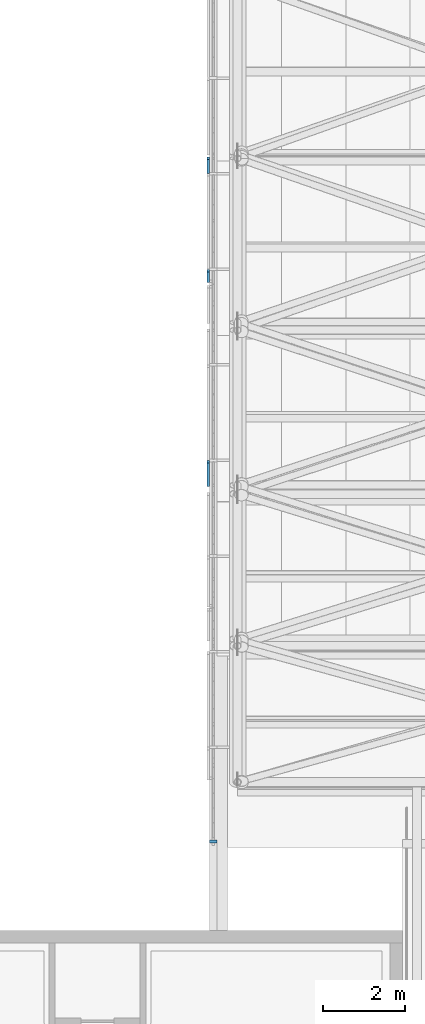
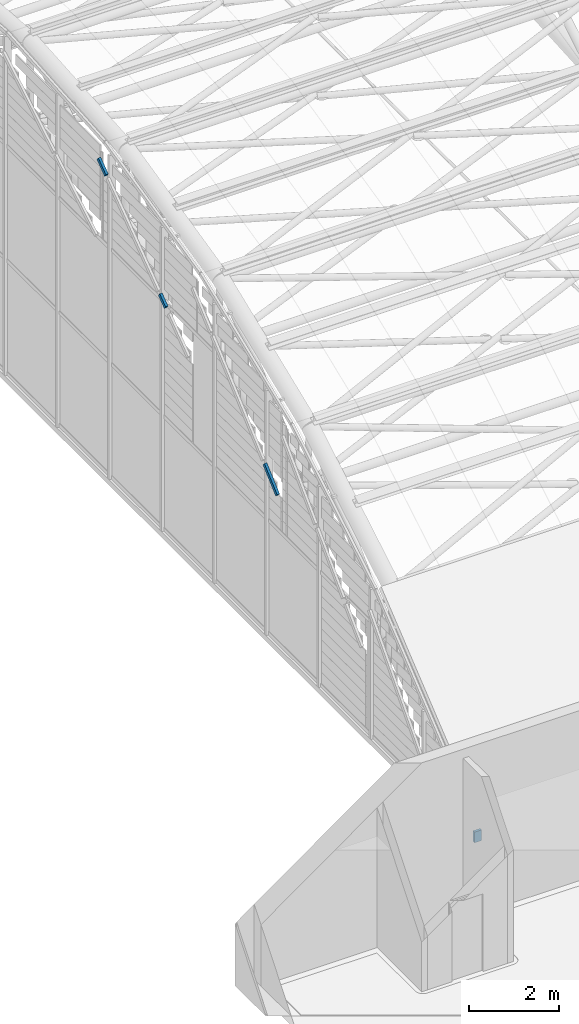
# One storey, part 44 of 110: 4 members, 1 element without a shape of its own.
"""IFC4 building model written with IfcOpenShell, lengths in metres."""

import ifcopenshell
import ifcopenshell.guid

model = None  # the IFC model being written
_history = None  # IfcOwnerHistory: only IFC2X3 demands one
_inside = {}  # id of a spatial element -> (the spatial element, [elements in it])
_under = {}  # id of a project, library or spatial element -> (it, [spatial elements below it])
_declared = {}  # id of a project -> (the project, [libraries it declares])
_typed = {}  # id of a type object -> (the type object, [elements of that type])
_made_of = {}  # id of a material, layer set ... -> (it, [elements and type objects made of it])


def new_model(schema):
    """Start an empty IFC model of exactly this schema.

    Asked for "IFC4X3", IfcOpenShell would pick the latest addendum, in which some entities
    have other attributes; the version numbers below select the first issue.
    IFC2X3 requires an IfcOwnerHistory on every rooted entity: one is made here for all.
    """
    global model, _history
    if schema == "IFC4X3":
        model = ifcopenshell.file(schema_version=(4, 3, 0, 0))
    else:
        model = ifcopenshell.file(schema=schema)
    _inside.clear()
    _under.clear()
    _declared.clear()
    _typed.clear()
    _made_of.clear()
    _history = None
    if model.schema == "IFC2X3":
        org = make("IfcOrganization", Name="unknown")
        user = make(
            "IfcPersonAndOrganization",
            ThePerson=make("IfcPerson", FamilyName="unknown"),
            TheOrganization=org,
        )
        app = make(
            "IfcApplication",
            ApplicationDeveloper=org,
            Version="unknown",
            ApplicationFullName="unknown",
            ApplicationIdentifier="unknown",
        )
        _history = make(
            "IfcOwnerHistory",
            OwningUser=user,
            OwningApplication=app,
            ChangeAction="ADDED",
            CreationDate=0,
        )
    return model


def make(cls, **values):
    """One entity of the class cls with the attributes given. An attribute that is None is left unset."""
    return model.create_entity(
        cls, **{name: value for name, value in values.items() if value is not None}
    )


def rooted(cls, **values):
    """An entity with a GlobalId (a new one), such as an element, a storey or a relation."""
    return make(cls, GlobalId=ifcopenshell.guid.new(), OwnerHistory=_history, **values)


def si_unit(unit_type, name, prefix=None):
    """IfcSIUnit, for example si_unit("LENGTHUNIT", "METRE", prefix="MILLI")."""
    return make("IfcSIUnit", UnitType=unit_type, Prefix=prefix, Name=name)


def assignment(units):
    """IfcUnitAssignment: the units of a project."""
    return None if units is None else make("IfcUnitAssignment", Units=units)


def point(xyz):
    """IfcCartesianPoint."""
    return None if xyz is None else make("IfcCartesianPoint", Coordinates=xyz)


def direction(xyz):
    """IfcDirection."""
    return None if xyz is None else make("IfcDirection", DirectionRatios=xyz)


def frame(location, z_axis=None, x_axis=None):
    """IfcAxis2Placement3D, a coordinate frame: its origin and axes. An axis left out is left unset."""
    return make(
        "IfcAxis2Placement3D",
        Location=point(location),
        Axis=direction(z_axis),
        RefDirection=direction(x_axis),
    )


def frame_2d(location, x_axis=None):
    """IfcAxis2Placement2D, a coordinate frame in the plane: its origin and x axis."""
    return make(
        "IfcAxis2Placement2D", Location=point(location), RefDirection=direction(x_axis)
    )


def origin():
    """The frame at (0, 0, 0) with its axes left unset."""
    return frame((0.0, 0.0, 0.0))


def origin_2d():
    """The frame at (0, 0) in the plane with its x axis left unset."""
    return frame_2d((0.0, 0.0))


def place(relative_to, where):
    """IfcLocalPlacement: puts the frame where relative to a parent placement (None: the world)."""
    return make(
        "IfcLocalPlacement", PlacementRelTo=relative_to, RelativePlacement=where
    )


def context(
    kind, dimensions, precision=None, world=None, true_north=None, identifier=None
):
    """IfcGeometricRepresentationContext, for example the 3D "Model" context."""
    return make(
        "IfcGeometricRepresentationContext",
        ContextIdentifier=identifier,
        ContextType=kind,
        CoordinateSpaceDimension=dimensions,
        Precision=precision,
        WorldCoordinateSystem=world,
        TrueNorth=true_north,
    )


def subcontext(parent, identifier, kind, view, scale=None):
    """IfcGeometricRepresentationSubContext, for example "Body" below "Model"."""
    return make(
        "IfcGeometricRepresentationSubContext",
        ContextIdentifier=identifier,
        ContextType=kind,
        ParentContext=parent,
        TargetScale=scale,
        TargetView=view,
    )


def project(units=None, contexts=None):
    """IfcProject with its units and contexts."""
    return rooted(
        "IfcProject",
        Name="project",
        RepresentationContexts=contexts,
        UnitsInContext=assignment(units),
    )


def spatial(cls, under=None, at=None, **own):
    """A site, building, storey or space (cls), placed at a placement, below another one or the project."""
    s = rooted(cls, ObjectPlacement=at, **own)
    if under is not None:
        _under.setdefault(under.id(), (under, []))[1].append(s)
    return s


def profile(cls, at=None, kind="AREA", **sizes):
    """A parametric profile (cls). Its sizes go by their IFC names, for example OverallWidth=200.0."""
    return make(cls, ProfileType=kind, Position=at, **sizes)


def rectangle(**sizes):
    """IfcRectangleProfileDef."""
    return profile("IfcRectangleProfileDef", **sizes)


def extrude(swept, where, along, depth):
    """IfcExtrudedAreaSolid: the profile swept, set in the frame where, extruded along a direction by depth."""
    return make(
        "IfcExtrudedAreaSolid",
        SweptArea=swept,
        Position=where,
        ExtrudedDirection=direction(along),
        Depth=depth,
    )


def shape(context_of_items, identifier, shape_type, items):
    """IfcShapeRepresentation: the items that make up one representation, for example the "Body"."""
    return make(
        "IfcShapeRepresentation",
        ContextOfItems=context_of_items,
        RepresentationIdentifier=identifier,
        RepresentationType=shape_type,
        Items=items,
    )


def material(Name=None, Category=None):
    """IfcMaterial."""
    return make("IfcMaterial", Name=Name, Category=Category)


def layer(
    of_material, thickness, ventilated=None, Name=None, Category=None, Priority=None
):
    """IfcMaterialLayer: one layer of a wall or slab, of a material (None: an air gap)."""
    return make(
        "IfcMaterialLayer",
        Material=of_material,
        LayerThickness=thickness,
        IsVentilated=ventilated,
        Name=Name,
        Category=Category,
        Priority=Priority,
    )


def layer_set(layers, Name=None):
    """IfcMaterialLayerSet."""
    return make("IfcMaterialLayerSet", MaterialLayers=layers, LayerSetName=Name)


def material_profile(
    of_material, cross_section, Name=None, Category=None, Priority=None
):
    """IfcMaterialProfile: a cross section and its material."""
    return make(
        "IfcMaterialProfile",
        Name=Name,
        Material=of_material,
        Profile=cross_section,
        Priority=Priority,
        Category=Category,
    )


def profile_set(profiles, Name=None, composite=None):
    """IfcMaterialProfileSet."""
    return make(
        "IfcMaterialProfileSet",
        Name=Name,
        MaterialProfiles=profiles,
        CompositeProfile=composite,
    )


def made_of(thing, what):
    """Note that an element or type object is made of a material, layer set ...; save() writes the relation."""
    if what is not None:
        _made_of.setdefault(what.id(), (what, []))[1].append(thing)
    return thing


def type_object(cls, material=None, **own):
    """A type object (cls), such as IfcWallType, which elements share."""
    return made_of(rooted(cls, **own), material)


def element(
    cls,
    number,
    at=None,
    inside=None,
    cuts=None,
    type_object=None,
    material=None,
    context=None,
    identifier="Body",
    shape_type=None,
    held_by="IfcProductDefinitionShape",
    body=None,
    shapes=None,
    **own,
):
    """One element of the class cls, such as IfcWall. Its Tag is "e" and its number.

    at: its placement. inside: the storey or other place that contains it. cuts: it is an
    opening in that element (IfcRelVoidsElement). A single representation is given by context,
    identifier, shape_type and body (its items); several are given by shapes. held_by: the class
    of the entity that holds the representations. save() writes the other relations.
    """
    e = rooted(cls, Tag="e%d" % number, ObjectPlacement=at, **own)
    if body is not None:
        shapes = [shape(context, identifier, shape_type, body)]
    if shapes is not None:
        e.Representation = make(held_by, Representations=shapes)
    if inside is not None:
        _inside.setdefault(inside.id(), (inside, []))[1].append(e)
    if cuts is not None:
        rooted(
            "IfcRelVoidsElement", RelatingBuildingElement=cuts, RelatedOpeningElement=e
        )
    if type_object is not None:
        _typed.setdefault(type_object.id(), (type_object, []))[1].append(e)
    return made_of(e, material)


def aggregate(whole, parts):
    """IfcRelAggregates: a whole, such as a stair, and the parts it consists of."""
    return rooted("IfcRelAggregates", RelatingObject=whole, RelatedObjects=parts)


def save(model, path):
    """Write the relations noted so far, then the file.

    IfcRelAggregates (storeys below a building ...), IfcRelContainedInSpatialStructure (elements
    in a storey), IfcRelDefinesByType, IfcRelAssociatesMaterial and IfcRelDeclares: one each for
    every whole, place, type object, material and project.
    """
    for whole, parts in _under.values():
        aggregate(whole, parts)
    for where, things in _inside.values():
        rooted(
            "IfcRelContainedInSpatialStructure",
            RelatedElements=things,
            RelatingStructure=where,
        )
    for kind, things in _typed.values():
        rooted("IfcRelDefinesByType", RelatedObjects=things, RelatingType=kind)
    for what, things in _made_of.values():
        rooted("IfcRelAssociatesMaterial", RelatedObjects=things, RelatingMaterial=what)
    for by, libraries in _declared.values():
        rooted("IfcRelDeclares", RelatingContext=by, RelatedDefinitions=libraries)
    model.write(path)


model = new_model("IFC4")

# Units and contexts
model_context = context("Model", 3, precision=1e-05, world=origin(), true_north=direction((0.0, 1.0)))
body_context = subcontext(model_context, "Body", "Model", "MODEL_VIEW")
ifc_project = project(units=[si_unit("LENGTHUNIT", "METRE"), si_unit("AREAUNIT", "SQUARE_METRE"), si_unit("VOLUMEUNIT", "CUBIC_METRE"), si_unit("PLANEANGLEUNIT", "RADIAN"), si_unit("MASSUNIT", "GRAM", prefix="KILO")], contexts=[model_context])

# Site, building, storey
site_placement = place(None, origin())
site = spatial("IfcSite", under=ifc_project, at=site_placement, CompositionType="ELEMENT")
building_placement = place(site_placement, origin())
building = spatial("IfcBuilding", under=site, at=building_placement, Name="Windward Yard Aquatics Centre", CompositionType="ELEMENT")
storey_placement = place(building_placement, frame((0.0, 0.0, 22.60009765625)))
storey = spatial("IfcBuildingStorey", under=building, at=storey_placement, Name="L05", CompositionType="ELEMENT", Elevation=22.60009765625)

# Curtain wall, members
ifc_material_1 = material(Name="Glass and aluminium curtain wall", Category="aluminium")
ifc_layer = layer(ifc_material_1, 0.179931640625)
ifc_layer_set = layer_set([ifc_layer], Name="H gable glazing system double glazed 8+16+8")
curtain_wall_type = type_object("IfcCurtainWallType", Name="H gable glazing system double glazed 8+16+8", PredefinedType="NOTDEFINED", material=ifc_layer_set)
curtain_wall_placement = place(storey_placement, origin())
curtain_wall = element("IfcCurtainWall", 1, at=curtain_wall_placement, inside=storey, type_object=curtain_wall_type, Name="Gable glazing W", PredefinedType="NOTDEFINED")
ifc_material_2 = material(Name="Aluminium 6063-T6 anodised", Category="aluminium")
ifc_material_profile_1 = material_profile(ifc_material_2, rectangle(XDim=0.06494140625, YDim=0.179931640625, at=origin_2d()), Name="H CW mullion 65x180")
ifc_profile_set_1 = profile_set([ifc_material_profile_1], Name="Aluminium 6063-T6 anodised")
member_type_1 = type_object("IfcMemberType", Name="H CW mullion 65x180", PredefinedType="MULLION", material=ifc_profile_set_1)
member_1_placement = place(storey_placement, frame((59.409912109375, 40.159423828125, 0.0), z_axis=(0.0, 0.0, 1.0), x_axis=(0.0, 1.0, 0.0)))
member_1 = element("IfcMember", 2, at=member_1_placement, type_object=member_type_1, Name="Gable mullion 1", PredefinedType="MULLION", context=body_context, shape_type="SweptSolid", body=[
    extrude(rectangle(XDim=0.06494140625, YDim=0.179931640625, at=origin_2d()), origin(), (0.0, 0.0, 1.0), 0.289794921875),
])
ifc_material_profile_2 = material_profile(ifc_material_2, rectangle(XDim=0.06494140625, YDim=0.10009765625, at=origin_2d()), Name="H CW transom 65x100")
ifc_profile_set_2 = profile_set([ifc_material_profile_2], Name="Aluminium 6063-T6 anodised")
member_type_2 = type_object("IfcMemberType", Name="H CW transom 65x100", PredefinedType="USERDEFINED", material=ifc_profile_set_2)
member_2_placement = place(storey_placement, frame((59.28759765625, 48.802734375, 4.16650390625), z_axis=(0.0, 0.748560831862, 0.663066121139), x_axis=(-1.0, 0.0, 0.0)))
member_2 = element("IfcMember", 3, at=member_2_placement, type_object=member_type_2, Name="Gable cover strip 3.1", ObjectType="COVER STRIP", PredefinedType="USERDEFINED", context=body_context, shape_type="SweptSolid", body=[
    extrude(rectangle(XDim=0.06494140625, YDim=0.10009765625, at=origin_2d()), origin(), (0.0, 0.0, 1.0), 0.759521484375),
])
member_3_placement = place(storey_placement, frame((59.28759765625, 53.74658203125, 6.25), z_axis=(0.0, 0.802672555451, 0.596419960033), x_axis=(-1.0, 0.0, 0.0)))
member_3 = element("IfcMember", 4, at=member_3_placement, type_object=member_type_2, Name="Gable cover strip 4.2", ObjectType="COVER STRIP", PredefinedType="USERDEFINED", context=body_context, shape_type="SweptSolid", body=[
    extrude(rectangle(XDim=0.06494140625, YDim=0.10009765625, at=origin_2d()), origin(), (0.0, 0.0, 1.0), 0.327880859375),
])
member_4_placement = place(storey_placement, frame((59.28759765625, 56.39404296875, 8.21875), z_axis=(0.0, 0.802362534733, 0.596836965055), x_axis=(-1.0, 0.0, 0.0)))
member_4 = element("IfcMember", 5, at=member_4_placement, type_object=member_type_2, Name="Gable cover strip 4.4", ObjectType="COVER STRIP", PredefinedType="USERDEFINED", context=body_context, shape_type="SweptSolid", body=[
    extrude(rectangle(XDim=0.06494140625, YDim=0.10009765625, at=origin_2d()), origin(), (0.0, 0.0, 1.0), 0.42041015625),
])
aggregate(curtain_wall, [member_1, member_2, member_3, member_4])

save(model, "model.ifc")
